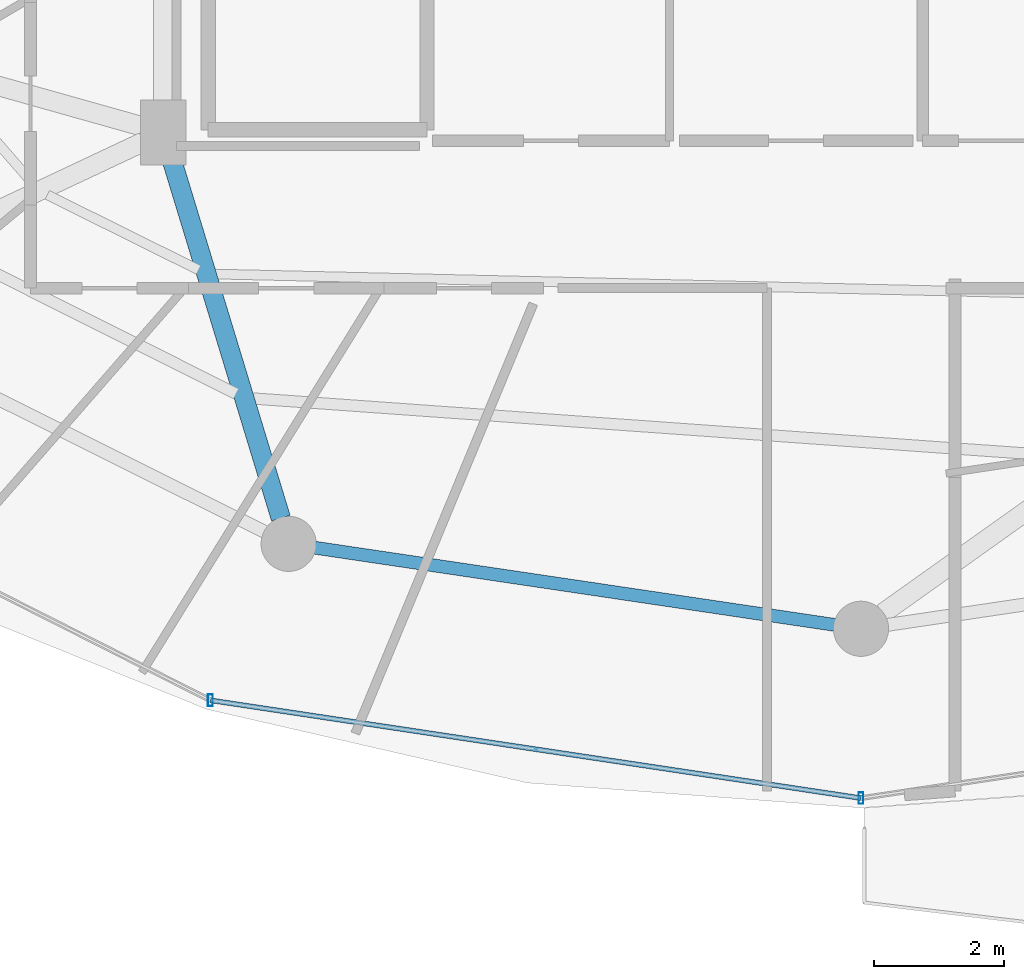
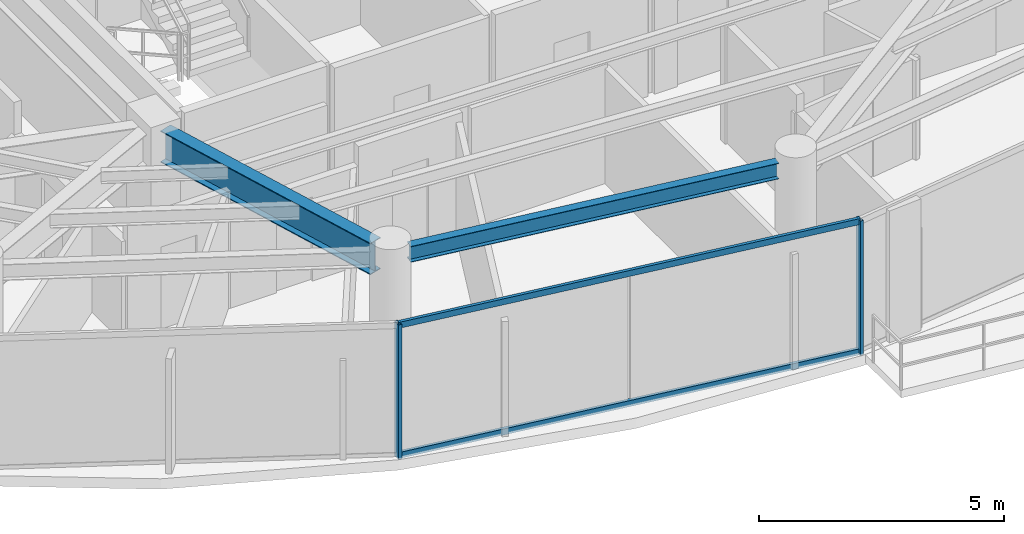
# One storey, part 4 of 30: 4 members, 2 beams, 1 element without a shape of its own.
"""IFC4 building model written with IfcOpenShell, lengths in metres."""

import ifcopenshell
import ifcopenshell.guid

model = None  # the IFC model being written
_history = None  # IfcOwnerHistory: only IFC2X3 demands one
_inside = {}  # id of a spatial element -> (the spatial element, [elements in it])
_under = {}  # id of a project, library or spatial element -> (it, [spatial elements below it])
_declared = {}  # id of a project -> (the project, [libraries it declares])
_typed = {}  # id of a type object -> (the type object, [elements of that type])
_made_of = {}  # id of a material, layer set ... -> (it, [elements and type objects made of it])


def new_model(schema):
    """Start an empty IFC model of exactly this schema.

    Asked for "IFC4X3", IfcOpenShell would pick the latest addendum, in which some entities
    have other attributes; the version numbers below select the first issue.
    IFC2X3 requires an IfcOwnerHistory on every rooted entity: one is made here for all.
    """
    global model, _history
    if schema == "IFC4X3":
        model = ifcopenshell.file(schema_version=(4, 3, 0, 0))
    else:
        model = ifcopenshell.file(schema=schema)
    _inside.clear()
    _under.clear()
    _declared.clear()
    _typed.clear()
    _made_of.clear()
    _history = None
    if model.schema == "IFC2X3":
        org = make("IfcOrganization", Name="unknown")
        user = make(
            "IfcPersonAndOrganization",
            ThePerson=make("IfcPerson", FamilyName="unknown"),
            TheOrganization=org,
        )
        app = make(
            "IfcApplication",
            ApplicationDeveloper=org,
            Version="unknown",
            ApplicationFullName="unknown",
            ApplicationIdentifier="unknown",
        )
        _history = make(
            "IfcOwnerHistory",
            OwningUser=user,
            OwningApplication=app,
            ChangeAction="ADDED",
            CreationDate=0,
        )
    return model


def make(cls, **values):
    """One entity of the class cls with the attributes given. An attribute that is None is left unset."""
    return model.create_entity(
        cls, **{name: value for name, value in values.items() if value is not None}
    )


def rooted(cls, **values):
    """An entity with a GlobalId (a new one), such as an element, a storey or a relation."""
    return make(cls, GlobalId=ifcopenshell.guid.new(), OwnerHistory=_history, **values)


def si_unit(unit_type, name, prefix=None):
    """IfcSIUnit, for example si_unit("LENGTHUNIT", "METRE", prefix="MILLI")."""
    return make("IfcSIUnit", UnitType=unit_type, Prefix=prefix, Name=name)


def assignment(units):
    """IfcUnitAssignment: the units of a project."""
    return None if units is None else make("IfcUnitAssignment", Units=units)


def point(xyz):
    """IfcCartesianPoint."""
    return None if xyz is None else make("IfcCartesianPoint", Coordinates=xyz)


def direction(xyz):
    """IfcDirection."""
    return None if xyz is None else make("IfcDirection", DirectionRatios=xyz)


def frame(location, z_axis=None, x_axis=None):
    """IfcAxis2Placement3D, a coordinate frame: its origin and axes. An axis left out is left unset."""
    return make(
        "IfcAxis2Placement3D",
        Location=point(location),
        Axis=direction(z_axis),
        RefDirection=direction(x_axis),
    )


def frame_2d(location, x_axis=None):
    """IfcAxis2Placement2D, a coordinate frame in the plane: its origin and x axis."""
    return make(
        "IfcAxis2Placement2D", Location=point(location), RefDirection=direction(x_axis)
    )


def origin():
    """The frame at (0, 0, 0) with its axes left unset."""
    return frame((0.0, 0.0, 0.0))


def origin_2d():
    """The frame at (0, 0) in the plane with its x axis left unset."""
    return frame_2d((0.0, 0.0))


def place(relative_to, where):
    """IfcLocalPlacement: puts the frame where relative to a parent placement (None: the world)."""
    return make(
        "IfcLocalPlacement", PlacementRelTo=relative_to, RelativePlacement=where
    )


def context(
    kind, dimensions, precision=None, world=None, true_north=None, identifier=None
):
    """IfcGeometricRepresentationContext, for example the 3D "Model" context."""
    return make(
        "IfcGeometricRepresentationContext",
        ContextIdentifier=identifier,
        ContextType=kind,
        CoordinateSpaceDimension=dimensions,
        Precision=precision,
        WorldCoordinateSystem=world,
        TrueNorth=true_north,
    )


def subcontext(parent, identifier, kind, view, scale=None):
    """IfcGeometricRepresentationSubContext, for example "Body" below "Model"."""
    return make(
        "IfcGeometricRepresentationSubContext",
        ContextIdentifier=identifier,
        ContextType=kind,
        ParentContext=parent,
        TargetScale=scale,
        TargetView=view,
    )


def project(units=None, contexts=None):
    """IfcProject with its units and contexts."""
    return rooted(
        "IfcProject",
        Name="project",
        RepresentationContexts=contexts,
        UnitsInContext=assignment(units),
    )


def spatial(cls, under=None, at=None, **own):
    """A site, building, storey or space (cls), placed at a placement, below another one or the project."""
    s = rooted(cls, ObjectPlacement=at, **own)
    if under is not None:
        _under.setdefault(under.id(), (under, []))[1].append(s)
    return s


def profile(cls, at=None, kind="AREA", **sizes):
    """A parametric profile (cls). Its sizes go by their IFC names, for example OverallWidth=200.0."""
    return make(cls, ProfileType=kind, Position=at, **sizes)


def hollow_rectangle(**sizes):
    """IfcRectangleHollowProfileDef."""
    return profile("IfcRectangleHollowProfileDef", **sizes)


def i_section(**sizes):
    """IfcIShapeProfileDef."""
    return profile("IfcIShapeProfileDef", **sizes)


def extrude(swept, where, along, depth):
    """IfcExtrudedAreaSolid: the profile swept, set in the frame where, extruded along a direction by depth."""
    return make(
        "IfcExtrudedAreaSolid",
        SweptArea=swept,
        Position=where,
        ExtrudedDirection=direction(along),
        Depth=depth,
    )


def shape(context_of_items, identifier, shape_type, items):
    """IfcShapeRepresentation: the items that make up one representation, for example the "Body"."""
    return make(
        "IfcShapeRepresentation",
        ContextOfItems=context_of_items,
        RepresentationIdentifier=identifier,
        RepresentationType=shape_type,
        Items=items,
    )


def material(Name=None, Category=None):
    """IfcMaterial."""
    return make("IfcMaterial", Name=Name, Category=Category)


def material_profile(
    of_material, cross_section, Name=None, Category=None, Priority=None
):
    """IfcMaterialProfile: a cross section and its material."""
    return make(
        "IfcMaterialProfile",
        Name=Name,
        Material=of_material,
        Profile=cross_section,
        Priority=Priority,
        Category=Category,
    )


def profile_set(profiles, Name=None, composite=None):
    """IfcMaterialProfileSet."""
    return make(
        "IfcMaterialProfileSet",
        Name=Name,
        MaterialProfiles=profiles,
        CompositeProfile=composite,
    )


def made_of(thing, what):
    """Note that an element or type object is made of a material, layer set ...; save() writes the relation."""
    if what is not None:
        _made_of.setdefault(what.id(), (what, []))[1].append(thing)
    return thing


def type_object(cls, material=None, **own):
    """A type object (cls), such as IfcWallType, which elements share."""
    return made_of(rooted(cls, **own), material)


def element(
    cls,
    number,
    at=None,
    inside=None,
    cuts=None,
    type_object=None,
    material=None,
    context=None,
    identifier="Body",
    shape_type=None,
    held_by="IfcProductDefinitionShape",
    body=None,
    shapes=None,
    **own,
):
    """One element of the class cls, such as IfcWall. Its Tag is "e" and its number.

    at: its placement. inside: the storey or other place that contains it. cuts: it is an
    opening in that element (IfcRelVoidsElement). A single representation is given by context,
    identifier, shape_type and body (its items); several are given by shapes. held_by: the class
    of the entity that holds the representations. save() writes the other relations.
    """
    e = rooted(cls, Tag="e%d" % number, ObjectPlacement=at, **own)
    if body is not None:
        shapes = [shape(context, identifier, shape_type, body)]
    if shapes is not None:
        e.Representation = make(held_by, Representations=shapes)
    if inside is not None:
        _inside.setdefault(inside.id(), (inside, []))[1].append(e)
    if cuts is not None:
        rooted(
            "IfcRelVoidsElement", RelatingBuildingElement=cuts, RelatedOpeningElement=e
        )
    if type_object is not None:
        _typed.setdefault(type_object.id(), (type_object, []))[1].append(e)
    return made_of(e, material)


def aggregate(whole, parts):
    """IfcRelAggregates: a whole, such as a stair, and the parts it consists of."""
    return rooted("IfcRelAggregates", RelatingObject=whole, RelatedObjects=parts)


def save(model, path):
    """Write the relations noted so far, then the file.

    IfcRelAggregates (storeys below a building ...), IfcRelContainedInSpatialStructure (elements
    in a storey), IfcRelDefinesByType, IfcRelAssociatesMaterial and IfcRelDeclares: one each for
    every whole, place, type object, material and project.
    """
    for whole, parts in _under.values():
        aggregate(whole, parts)
    for where, things in _inside.values():
        rooted(
            "IfcRelContainedInSpatialStructure",
            RelatedElements=things,
            RelatingStructure=where,
        )
    for kind, things in _typed.values():
        rooted("IfcRelDefinesByType", RelatedObjects=things, RelatingType=kind)
    for what, things in _made_of.values():
        rooted("IfcRelAssociatesMaterial", RelatedObjects=things, RelatingMaterial=what)
    for by, libraries in _declared.values():
        rooted("IfcRelDeclares", RelatingContext=by, RelatedDefinitions=libraries)
    model.write(path)


model = new_model("IFC4")

# Units and contexts
model_context = context("Model", 3, precision=1e-05, world=origin(), true_north=direction((0.0, 1.0)))
body_context = subcontext(model_context, "Body", "Model", "MODEL_VIEW")
ifc_project = project(units=[si_unit("LENGTHUNIT", "METRE"), si_unit("AREAUNIT", "SQUARE_METRE"), si_unit("VOLUMEUNIT", "CUBIC_METRE"), si_unit("PLANEANGLEUNIT", "RADIAN"), si_unit("MASSUNIT", "GRAM", prefix="KILO")], contexts=[model_context])

# Site, building, storey
site_placement = place(None, origin())
site = spatial("IfcSite", under=ifc_project, at=site_placement, CompositionType="ELEMENT")
building_placement = place(site_placement, origin())
building = spatial("IfcBuilding", under=site, at=building_placement, Name="Vorneva Point Tower", CompositionType="ELEMENT")
storey_placement = place(building_placement, frame((0.0, 0.0, 234.25)))
storey = spatial("IfcBuildingStorey", under=building, at=storey_placement, Name="L63", CompositionType="ELEMENT", Elevation=234.25)

# Beams
ifc_material_1 = material(Name="Steel S355", Category="steel")
ifc_material_profile_1 = material_profile(ifc_material_1, i_section(OverallWidth=0.300048828125, OverallDepth=0.7880859375, WebThickness=0.014404296875, FlangeThickness=0.02197265625, at=origin_2d()), Name="80Sh1")
ifc_profile_set_1 = profile_set([ifc_material_profile_1], Name="Steel S355")
beam_type_1 = type_object("IfcBeamType", Name="BM-GRD-80Sh1", PredefinedType="USERDEFINED", material=ifc_profile_set_1)
beam_1_placement = place(storey_placement, frame((29.058837890625, 10.50439453125, 2.89599609375), z_axis=(-0.291032624293, 0.956713129207, 0.0), x_axis=(-0.956713129207, -0.291032624293, 0.0)))
element("IfcBeam", 1, at=beam_1_placement, inside=storey, type_object=beam_type_1, Name="L63 Radial Primary Girder 12", ObjectType="GIRDER", PredefinedType="USERDEFINED", context=body_context, shape_type="SweptSolid", body=[
    extrude(i_section(OverallWidth=0.300048828125, OverallDepth=0.7880859375, WebThickness=0.014404296875, FlangeThickness=0.02197265625, at=origin_2d()), origin(), (0.0, 0.0, 1.0), 5.874755859375),
])
ifc_material_profile_2 = material_profile(ifc_material_1, i_section(OverallWidth=0.198974609375, OverallDepth=0.39599609375, WebThickness=0.007080078125, FlangeThickness=0.010986328125, at=origin_2d()), Name="40B1")
ifc_profile_set_2 = profile_set([ifc_material_profile_2], Name="Steel S355")
beam_type_2 = type_object("IfcBeamType", Name="BM-SPN-40B1", PredefinedType="SPANDREL", material=ifc_profile_set_2)
beam_2_placement = place(storey_placement, frame((29.584716796875, 10.049072265625, 3.092041015625), z_axis=(0.989161657331, -0.146830567886, 0.0), x_axis=(0.146830567886, 0.989161657331, 0.0)))
element("IfcBeam", 2, at=beam_2_placement, inside=storey, type_object=beam_type_2, Name="L63 Perimeter Spandrel Ring Beam 12", PredefinedType="SPANDREL", context=body_context, shape_type="SweptSolid", body=[
    extrude(i_section(OverallWidth=0.198974609375, OverallDepth=0.39599609375, WebThickness=0.007080078125, FlangeThickness=0.010986328125, at=origin_2d()), origin(), (0.0, 0.0, 1.0), 8.097412109375),
])

# Curtain wall, members
ifc_material_2 = material(Name="Pale anodised aluminium", Category="aluminium")
curtain_wall_type = type_object("IfcCurtainWallType", Name="CW-RES-SYS", PredefinedType="NOTDEFINED", material=ifc_material_2)
curtain_wall_placement = place(storey_placement, origin())
curtain_wall = element("IfcCurtainWall", 3, at=curtain_wall_placement, inside=storey, type_object=curtain_wall_type, Name="L63 Unitised Curtain Wall CW-L63-R04", PredefinedType="NOTDEFINED")
ifc_material_profile_3 = material_profile(ifc_material_2, hollow_rectangle(XDim=0.074951171875, YDim=0.179931640625, WallThickness=0.00390625, at=origin_2d()), Name="AL-MUL 180x75x4")
ifc_profile_set_3 = profile_set([ifc_material_profile_3], Name="Pale anodised aluminium")
member_type_1 = type_object("IfcMemberType", Name="CW-MUL-180", PredefinedType="MULLION", material=ifc_profile_set_3)
member_1_placement = place(storey_placement, frame((27.9736328125, 7.697998046875, -0.0400390625), z_axis=(0.0, 0.0, 1.0), x_axis=(1.0, 0.0, 0.0)))
member_1 = element("IfcMember", 4, at=member_1_placement, type_object=member_type_1, Name="CW-L63-R04 Mullion 02", PredefinedType="MULLION", context=body_context, shape_type="SweptSolid", body=[
    extrude(hollow_rectangle(XDim=0.074951171875, YDim=0.179931640625, WallThickness=0.00390625, at=origin_2d()), origin(), (0.0, 0.0, 1.0), 3.360107421875),
])
member_2_placement = place(storey_placement, frame((38.0, 6.18994140625, -0.0400390625), z_axis=(0.0, 0.0, 1.0), x_axis=(1.0, 0.0, 0.0)))
member_2 = element("IfcMember", 5, at=member_2_placement, type_object=member_type_1, Name="CW-L63-R04 Mullion 03", PredefinedType="MULLION", context=body_context, shape_type="SweptSolid", body=[
    extrude(hollow_rectangle(XDim=0.074951171875, YDim=0.179931640625, WallThickness=0.00390625, at=origin_2d()), origin(), (0.0, 0.0, 1.0), 3.360107421875),
])
ifc_material_profile_4 = material_profile(ifc_material_2, hollow_rectangle(XDim=0.074951171875, YDim=0.14990234375, WallThickness=0.00390625, at=origin_2d()), Name="AL-TRN 150x75x4")
ifc_profile_set_4 = profile_set([ifc_material_profile_4], Name="Pale anodised aluminium")
member_type_2 = type_object("IfcMemberType", Name="CW-TRN-150", PredefinedType="USERDEFINED", material=ifc_profile_set_4)
member_3_placement = place(storey_placement, frame((27.9736328125, 7.697998046875, 0.02001953125), z_axis=(0.988876929856, -0.148736066907, 0.0), x_axis=(0.148736066907, 0.988876929856, 0.0)))
member_3 = element("IfcMember", 6, at=member_3_placement, type_object=member_type_2, Name="CW-L63-R04 Transom 02.1", ObjectType="TRANSOM", PredefinedType="USERDEFINED", context=body_context, shape_type="SweptSolid", body=[
    extrude(hollow_rectangle(XDim=0.074951171875, YDim=0.14990234375, WallThickness=0.00390625, at=origin_2d()), origin(), (0.0, 0.0, 1.0), 10.13916015625),
])
member_4_placement = place(storey_placement, frame((27.9736328125, 7.697998046875, 3.27001953125), z_axis=(0.988876929856, -0.148736066907, 0.0), x_axis=(0.148736066907, 0.988876929856, 0.0)))
member_4 = element("IfcMember", 7, at=member_4_placement, type_object=member_type_2, Name="CW-L63-R04 Transom 02.2", ObjectType="TRANSOM", PredefinedType="USERDEFINED", context=body_context, shape_type="SweptSolid", body=[
    extrude(hollow_rectangle(XDim=0.074951171875, YDim=0.14990234375, WallThickness=0.00390625, at=origin_2d()), origin(), (0.0, 0.0, 1.0), 10.13916015625),
])
aggregate(curtain_wall, [member_1, member_2, member_3, member_4])

save(model, "model.ifc")
